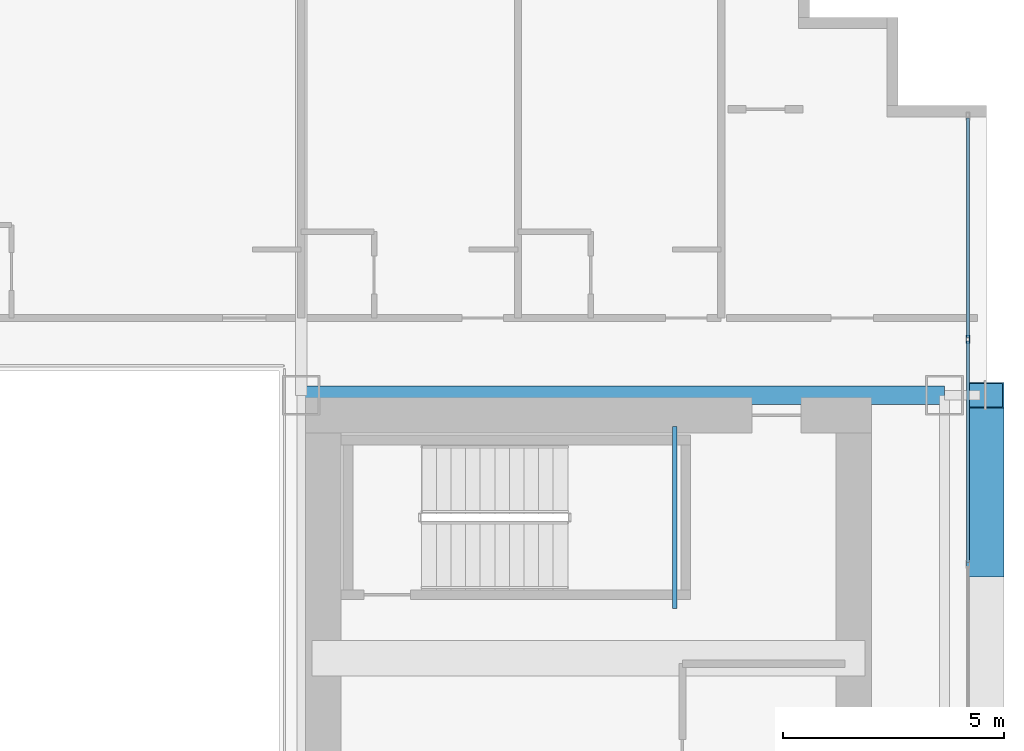
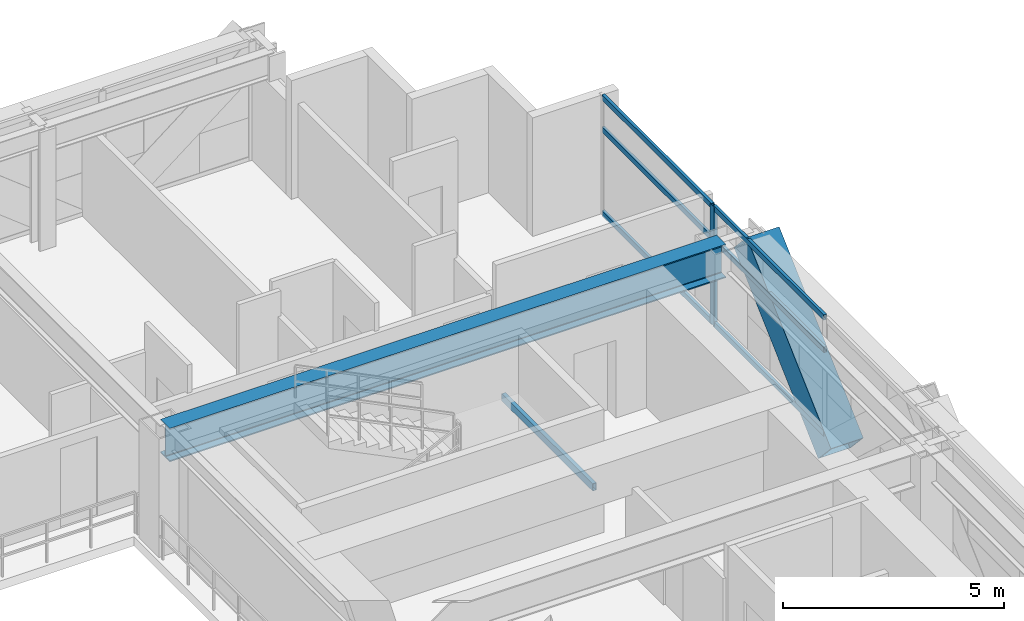
# One storey, part 20 of 35: 8 members, 2 beams, 1 element without a shape of its own.
"""IFC4 building model written with IfcOpenShell, lengths in metres."""

import ifcopenshell
import ifcopenshell.guid

model = None  # the IFC model being written
_history = None  # IfcOwnerHistory: only IFC2X3 demands one
_inside = {}  # id of a spatial element -> (the spatial element, [elements in it])
_under = {}  # id of a project, library or spatial element -> (it, [spatial elements below it])
_declared = {}  # id of a project -> (the project, [libraries it declares])
_typed = {}  # id of a type object -> (the type object, [elements of that type])
_made_of = {}  # id of a material, layer set ... -> (it, [elements and type objects made of it])


def new_model(schema):
    """Start an empty IFC model of exactly this schema.

    Asked for "IFC4X3", IfcOpenShell would pick the latest addendum, in which some entities
    have other attributes; the version numbers below select the first issue.
    IFC2X3 requires an IfcOwnerHistory on every rooted entity: one is made here for all.
    """
    global model, _history
    if schema == "IFC4X3":
        model = ifcopenshell.file(schema_version=(4, 3, 0, 0))
    else:
        model = ifcopenshell.file(schema=schema)
    _inside.clear()
    _under.clear()
    _declared.clear()
    _typed.clear()
    _made_of.clear()
    _history = None
    if model.schema == "IFC2X3":
        org = make("IfcOrganization", Name="unknown")
        user = make(
            "IfcPersonAndOrganization",
            ThePerson=make("IfcPerson", FamilyName="unknown"),
            TheOrganization=org,
        )
        app = make(
            "IfcApplication",
            ApplicationDeveloper=org,
            Version="unknown",
            ApplicationFullName="unknown",
            ApplicationIdentifier="unknown",
        )
        _history = make(
            "IfcOwnerHistory",
            OwningUser=user,
            OwningApplication=app,
            ChangeAction="ADDED",
            CreationDate=0,
        )
    return model


def make(cls, **values):
    """One entity of the class cls with the attributes given. An attribute that is None is left unset."""
    return model.create_entity(
        cls, **{name: value for name, value in values.items() if value is not None}
    )


def rooted(cls, **values):
    """An entity with a GlobalId (a new one), such as an element, a storey or a relation."""
    return make(cls, GlobalId=ifcopenshell.guid.new(), OwnerHistory=_history, **values)


def si_unit(unit_type, name, prefix=None):
    """IfcSIUnit, for example si_unit("LENGTHUNIT", "METRE", prefix="MILLI")."""
    return make("IfcSIUnit", UnitType=unit_type, Prefix=prefix, Name=name)


def assignment(units):
    """IfcUnitAssignment: the units of a project."""
    return None if units is None else make("IfcUnitAssignment", Units=units)


def point(xyz):
    """IfcCartesianPoint."""
    return None if xyz is None else make("IfcCartesianPoint", Coordinates=xyz)


def direction(xyz):
    """IfcDirection."""
    return None if xyz is None else make("IfcDirection", DirectionRatios=xyz)


def frame(location, z_axis=None, x_axis=None):
    """IfcAxis2Placement3D, a coordinate frame: its origin and axes. An axis left out is left unset."""
    return make(
        "IfcAxis2Placement3D",
        Location=point(location),
        Axis=direction(z_axis),
        RefDirection=direction(x_axis),
    )


def frame_2d(location, x_axis=None):
    """IfcAxis2Placement2D, a coordinate frame in the plane: its origin and x axis."""
    return make(
        "IfcAxis2Placement2D", Location=point(location), RefDirection=direction(x_axis)
    )


def origin():
    """The frame at (0, 0, 0) with its axes left unset."""
    return frame((0.0, 0.0, 0.0))


def origin_2d():
    """The frame at (0, 0) in the plane with its x axis left unset."""
    return frame_2d((0.0, 0.0))


def place(relative_to, where):
    """IfcLocalPlacement: puts the frame where relative to a parent placement (None: the world)."""
    return make(
        "IfcLocalPlacement", PlacementRelTo=relative_to, RelativePlacement=where
    )


def context(
    kind, dimensions, precision=None, world=None, true_north=None, identifier=None
):
    """IfcGeometricRepresentationContext, for example the 3D "Model" context."""
    return make(
        "IfcGeometricRepresentationContext",
        ContextIdentifier=identifier,
        ContextType=kind,
        CoordinateSpaceDimension=dimensions,
        Precision=precision,
        WorldCoordinateSystem=world,
        TrueNorth=true_north,
    )


def subcontext(parent, identifier, kind, view, scale=None):
    """IfcGeometricRepresentationSubContext, for example "Body" below "Model"."""
    return make(
        "IfcGeometricRepresentationSubContext",
        ContextIdentifier=identifier,
        ContextType=kind,
        ParentContext=parent,
        TargetScale=scale,
        TargetView=view,
    )


def project(units=None, contexts=None):
    """IfcProject with its units and contexts."""
    return rooted(
        "IfcProject",
        Name="project",
        RepresentationContexts=contexts,
        UnitsInContext=assignment(units),
    )


def spatial(cls, under=None, at=None, **own):
    """A site, building, storey or space (cls), placed at a placement, below another one or the project."""
    s = rooted(cls, ObjectPlacement=at, **own)
    if under is not None:
        _under.setdefault(under.id(), (under, []))[1].append(s)
    return s


def profile(cls, at=None, kind="AREA", **sizes):
    """A parametric profile (cls). Its sizes go by their IFC names, for example OverallWidth=200.0."""
    return make(cls, ProfileType=kind, Position=at, **sizes)


def hollow_rectangle(**sizes):
    """IfcRectangleHollowProfileDef."""
    return profile("IfcRectangleHollowProfileDef", **sizes)


def i_section(**sizes):
    """IfcIShapeProfileDef."""
    return profile("IfcIShapeProfileDef", **sizes)


def extrude(swept, where, along, depth):
    """IfcExtrudedAreaSolid: the profile swept, set in the frame where, extruded along a direction by depth."""
    return make(
        "IfcExtrudedAreaSolid",
        SweptArea=swept,
        Position=where,
        ExtrudedDirection=direction(along),
        Depth=depth,
    )


def shape(context_of_items, identifier, shape_type, items):
    """IfcShapeRepresentation: the items that make up one representation, for example the "Body"."""
    return make(
        "IfcShapeRepresentation",
        ContextOfItems=context_of_items,
        RepresentationIdentifier=identifier,
        RepresentationType=shape_type,
        Items=items,
    )


def source(mapping_origin, context_of_items, identifier, shape_type, items):
    """IfcRepresentationMap: a shape defined once, which mapped items show again and again."""
    return make(
        "IfcRepresentationMap",
        MappingOrigin=mapping_origin,
        MappedRepresentation=shape(context_of_items, identifier, shape_type, items),
    )


def transform(
    local_origin,
    x_axis=None,
    y_axis=None,
    z_axis=None,
    scale=None,
    scale2=None,
    scale3=None,
    uniform=True,
):
    """IfcCartesianTransformationOperator3D, or its non-uniform kind. x_axis, y_axis, z_axis: its Axis1, 2, 3."""
    if uniform:
        return make(
            "IfcCartesianTransformationOperator3D",
            Axis1=direction(x_axis),
            Axis2=direction(y_axis),
            LocalOrigin=point(local_origin),
            Scale=scale,
            Axis3=direction(z_axis),
        )
    return make(
        "IfcCartesianTransformationOperator3DnonUniform",
        Axis1=direction(x_axis),
        Axis2=direction(y_axis),
        LocalOrigin=point(local_origin),
        Scale=scale,
        Axis3=direction(z_axis),
        Scale2=scale2,
        Scale3=scale3,
    )


def mapped(mapping_source, mapping_target):
    """IfcMappedItem: shows the shape of a source again, moved by a transform."""
    return make(
        "IfcMappedItem", MappingSource=mapping_source, MappingTarget=mapping_target
    )


def material(Name=None, Category=None):
    """IfcMaterial."""
    return make("IfcMaterial", Name=Name, Category=Category)


def layer(
    of_material, thickness, ventilated=None, Name=None, Category=None, Priority=None
):
    """IfcMaterialLayer: one layer of a wall or slab, of a material (None: an air gap)."""
    return make(
        "IfcMaterialLayer",
        Material=of_material,
        LayerThickness=thickness,
        IsVentilated=ventilated,
        Name=Name,
        Category=Category,
        Priority=Priority,
    )


def layer_set(layers, Name=None):
    """IfcMaterialLayerSet."""
    return make("IfcMaterialLayerSet", MaterialLayers=layers, LayerSetName=Name)


def material_profile(
    of_material, cross_section, Name=None, Category=None, Priority=None
):
    """IfcMaterialProfile: a cross section and its material."""
    return make(
        "IfcMaterialProfile",
        Name=Name,
        Material=of_material,
        Profile=cross_section,
        Priority=Priority,
        Category=Category,
    )


def profile_set(profiles, Name=None, composite=None):
    """IfcMaterialProfileSet."""
    return make(
        "IfcMaterialProfileSet",
        Name=Name,
        MaterialProfiles=profiles,
        CompositeProfile=composite,
    )


def made_of(thing, what):
    """Note that an element or type object is made of a material, layer set ...; save() writes the relation."""
    if what is not None:
        _made_of.setdefault(what.id(), (what, []))[1].append(thing)
    return thing


def type_object(cls, material=None, **own):
    """A type object (cls), such as IfcWallType, which elements share."""
    return made_of(rooted(cls, **own), material)


def element(
    cls,
    number,
    at=None,
    inside=None,
    cuts=None,
    type_object=None,
    material=None,
    context=None,
    identifier="Body",
    shape_type=None,
    held_by="IfcProductDefinitionShape",
    body=None,
    shapes=None,
    **own,
):
    """One element of the class cls, such as IfcWall. Its Tag is "e" and its number.

    at: its placement. inside: the storey or other place that contains it. cuts: it is an
    opening in that element (IfcRelVoidsElement). A single representation is given by context,
    identifier, shape_type and body (its items); several are given by shapes. held_by: the class
    of the entity that holds the representations. save() writes the other relations.
    """
    e = rooted(cls, Tag="e%d" % number, ObjectPlacement=at, **own)
    if body is not None:
        shapes = [shape(context, identifier, shape_type, body)]
    if shapes is not None:
        e.Representation = make(held_by, Representations=shapes)
    if inside is not None:
        _inside.setdefault(inside.id(), (inside, []))[1].append(e)
    if cuts is not None:
        rooted(
            "IfcRelVoidsElement", RelatingBuildingElement=cuts, RelatedOpeningElement=e
        )
    if type_object is not None:
        _typed.setdefault(type_object.id(), (type_object, []))[1].append(e)
    return made_of(e, material)


def aggregate(whole, parts):
    """IfcRelAggregates: a whole, such as a stair, and the parts it consists of."""
    return rooted("IfcRelAggregates", RelatingObject=whole, RelatedObjects=parts)


def save(model, path):
    """Write the relations noted so far, then the file.

    IfcRelAggregates (storeys below a building ...), IfcRelContainedInSpatialStructure (elements
    in a storey), IfcRelDefinesByType, IfcRelAssociatesMaterial and IfcRelDeclares: one each for
    every whole, place, type object, material and project.
    """
    for whole, parts in _under.values():
        aggregate(whole, parts)
    for where, things in _inside.values():
        rooted(
            "IfcRelContainedInSpatialStructure",
            RelatedElements=things,
            RelatingStructure=where,
        )
    for kind, things in _typed.values():
        rooted("IfcRelDefinesByType", RelatedObjects=things, RelatingType=kind)
    for what, things in _made_of.values():
        rooted("IfcRelAssociatesMaterial", RelatedObjects=things, RelatingMaterial=what)
    for by, libraries in _declared.values():
        rooted("IfcRelDeclares", RelatingContext=by, RelatedDefinitions=libraries)
    model.write(path)


model = new_model("IFC4")

# Units and contexts
model_context = context("Model", 3, precision=1e-05, world=origin(), true_north=direction((0.0, 1.0)))
body_context = subcontext(model_context, "Body", "Model", "MODEL_VIEW")
ifc_project = project(units=[si_unit("LENGTHUNIT", "METRE"), si_unit("AREAUNIT", "SQUARE_METRE"), si_unit("VOLUMEUNIT", "CUBIC_METRE"), si_unit("PLANEANGLEUNIT", "RADIAN"), si_unit("MASSUNIT", "GRAM", prefix="KILO")], contexts=[model_context])

# Site, building, storey
site_placement = place(None, origin())
site = spatial("IfcSite", under=ifc_project, at=site_placement, CompositionType="ELEMENT")
building_placement = place(site_placement, origin())
building = spatial("IfcBuilding", under=site, at=building_placement, Name="Ocotamira Hotel", CompositionType="ELEMENT")
storey_placement = place(building_placement, frame((0.0, 0.0, 81.60009765625)))
storey = spatial("IfcBuildingStorey", under=building, at=storey_placement, Name="L20", CompositionType="ELEMENT", Elevation=81.60009765625)

# Beams
ifc_material_1 = material(Name="Steel ASTM A500 Grade C", Category="steel")
ifc_material_profile_1 = material_profile(ifc_material_1, hollow_rectangle(XDim=0.10009765625, YDim=0.199951171875, WallThickness=0.008056640625, at=origin_2d()), Name="HSS200X100X8")
ifc_profile_set_1 = profile_set([ifc_material_profile_1], Name="Steel ASTM A500 Grade C")
beam_type_1 = type_object("IfcBeamType", Name="BM-STLDG-HSS200", PredefinedType="BEAM", material=ifc_profile_set_1)
shared_shape_1 = source(origin(), body_context, "Body", "SweptSolid", [
    extrude(hollow_rectangle(XDim=0.10009765625, YDim=0.199951171875, WallThickness=0.008056640625, at=origin_2d()), origin(), (0.0, 0.0, 1.0), 4.1201171875),
])
beam_1_placement = place(storey_placement, frame((48.949951171875, 32.6298828125, 1.5), z_axis=(0.0, 1.0, 0.0), x_axis=(-1.0, 0.0, 0.0)))
element("IfcBeam", 1, at=beam_1_placement, inside=storey, type_object=beam_type_1, Name="L20 Stair ST-4 Landing Bearer 1", PredefinedType="BEAM", context=body_context, shape_type="MappedRepresentation", body=[
    mapped(shared_shape_1, transform((0.0, 0.0, 0.0), scale=1.0)),
])
ifc_material_2 = material(Name="Steel ASTM A992 Grade 50", Category="steel")
ifc_material_profile_2 = material_profile(ifc_material_2, i_section(OverallWidth=0.41796875, OverallDepth=0.927001953125, WebThickness=0.019287109375, FlangeThickness=0.031982421875, FilletRadius=0.02392578125, at=origin_2d()), Name="W36X231")
ifc_profile_set_2 = profile_set([ifc_material_profile_2], Name="Steel ASTM A992 Grade 50")
beam_type_2 = type_object("IfcBeamType", Name="BM-GIRD-W36X231", PredefinedType="BEAM", material=ifc_profile_set_2)
shared_shape_2 = source(origin(), body_context, "Body", "SweptSolid", [
    extrude(i_section(OverallWidth=0.41796875, OverallDepth=0.927001953125, WebThickness=0.019287109375, FlangeThickness=0.031982421875, FilletRadius=0.02392578125, at=origin_2d()), origin(), (0.0, 0.0, 1.0), 14.550048828125),
])
beam_2_placement = place(storey_placement, frame((40.5, 37.449951171875, 2.81640625), z_axis=(1.0, 0.0, 0.0), x_axis=(0.0, 1.0, 0.0)))
element("IfcBeam", 2, at=beam_2_placement, inside=storey, type_object=beam_type_2, Name="L20 Girder Y37.45 X40.5-55.05", PredefinedType="BEAM", context=body_context, shape_type="MappedRepresentation", body=[
    mapped(shared_shape_2, transform((0.0, 0.0, 0.0), scale=1.0)),
])

# Member
ifc_material_3 = material(Name="Pale-metal coated steel ASTM A913 Grade 65", Category="steel")
ifc_material_profile_3 = material_profile(ifc_material_3, hollow_rectangle(XDim=0.85009765625, YDim=0.85009765625, WallThickness=0.035888671875, at=origin_2d()), Name="BOX850X850X36")
ifc_profile_set_3 = profile_set([ifc_material_profile_3], Name="Pale-metal coated steel ASTM A913 Grade 65")
member_type_1 = type_object("IfcMemberType", Name="MEM-EXO-BOX850", PredefinedType="BRACE", material=ifc_profile_set_3)
shared_shape_3 = source(origin(), body_context, "Body", "SweptSolid", [
    extrude(hollow_rectangle(XDim=0.85009765625, YDim=0.85009765625, WallThickness=0.035888671875, at=origin_2d()), origin(), (0.0, 0.0, 1.0), 5.19873046875),
])
member_1_placement = place(storey_placement, frame((55.969970703125, 33.63330078125, -0.5), z_axis=(0.0, 0.734158546733, 0.67897807642), x_axis=(-1.0, 0.0, 0.0)))
element("IfcMember", 3, at=member_1_placement, inside=storey, type_object=member_type_1, Name="L20 Exoskeleton Diagrid E2.2", PredefinedType="BRACE", context=body_context, shape_type="MappedRepresentation", body=[
    mapped(shared_shape_3, transform((0.0, 0.0, 0.0), scale=1.0)),
])

# Curtain wall, members
ifc_material_4 = material(Name="Anodised pale-metal aluminium and solar glass", Category="aluminium")
ifc_layer = layer(ifc_material_4, 0.179931640625)
ifc_layer_set = layer_set([ifc_layer], Name="Anodised pale-metal aluminium and solar glass")
curtain_wall_type = type_object("IfcCurtainWallType", Name="CW-SYS2-Z1", PredefinedType="NOTDEFINED", material=ifc_layer_set)
curtain_wall_placement = place(storey_placement, origin())
curtain_wall = element("IfcCurtainWall", 4, at=curtain_wall_placement, inside=storey, type_object=curtain_wall_type, Name="L20 Curtain Wall CW-2 CW-L20-E", PredefinedType="NOTDEFINED")
ifc_material_5 = material(Name="Anodised pale-metal aluminium 6063-T6", Category="aluminium")
ifc_material_profile_4 = material_profile(ifc_material_5, hollow_rectangle(XDim=0.074951171875, YDim=0.14990234375, WallThickness=0.006103515625, at=origin_2d()), Name="HSS150X75X6")
ifc_profile_set_4 = profile_set([ifc_material_profile_4], Name="Anodised pale-metal aluminium 6063-T6")
member_type_2 = type_object("IfcMemberType", Name="CWT-150X75", PredefinedType="USERDEFINED", material=ifc_profile_set_4)
shared_shape_4 = source(origin(), body_context, "Body", "SweptSolid", [
    extrude(hollow_rectangle(XDim=0.074951171875, YDim=0.14990234375, WallThickness=0.006103515625, at=origin_2d()), origin(), (0.0, 0.0, 1.0), 4.965576171875),
])
member_2_placement = place(storey_placement, frame((55.580078125, 38.75439453125, 0.037353515625), z_axis=(0.0, 1.0, 0.0), x_axis=(-1.0, 0.0, 0.0)))
member_2 = element("IfcMember", 5, at=member_2_placement, type_object=member_type_2, Name="CW-2 transom 7.1", ObjectType="TRANSOM", PredefinedType="USERDEFINED", context=body_context, shape_type="MappedRepresentation", body=[
    mapped(shared_shape_4, transform((0.0, 0.0, 0.0), scale=1.0)),
])
member_3_placement = place(storey_placement, frame((55.580078125, 38.75439453125, 2.349853515625), z_axis=(0.0, 1.0, 0.0), x_axis=(-1.0, 0.0, 0.0)))
member_3 = element("IfcMember", 6, at=member_3_placement, type_object=member_type_2, Name="CW-2 transom 7.2", ObjectType="TRANSOM", PredefinedType="USERDEFINED", context=body_context, shape_type="MappedRepresentation", body=[
    mapped(shared_shape_4, transform((0.0, 0.0, 0.0), scale=1.0)),
])
member_4_placement = place(storey_placement, frame((55.580078125, 38.75439453125, 3.242431640625), z_axis=(0.0, 1.0, 0.0), x_axis=(-1.0, 0.0, 0.0)))
member_4 = element("IfcMember", 7, at=member_4_placement, type_object=member_type_2, Name="CW-2 transom 7.3", ObjectType="TRANSOM", PredefinedType="USERDEFINED", context=body_context, shape_type="MappedRepresentation", body=[
    mapped(shared_shape_4, transform((0.0, 0.0, 0.0), scale=1.0)),
])
shared_shape_5 = source(origin(), body_context, "Body", "SweptSolid", [
    extrude(hollow_rectangle(XDim=0.074951171875, YDim=0.14990234375, WallThickness=0.006103515625, at=origin_2d()), origin(), (0.0, 0.0, 1.0), 5.005859375),
])
member_5_placement = place(storey_placement, frame((55.580078125, 33.66845703125, 0.037353515625), z_axis=(0.0, 1.0, 0.0), x_axis=(-1.0, 0.0, 0.0)))
member_5 = element("IfcMember", 8, at=member_5_placement, type_object=member_type_2, Name="CW-2 transom 6.1", ObjectType="TRANSOM", PredefinedType="USERDEFINED", context=body_context, shape_type="MappedRepresentation", body=[
    mapped(shared_shape_5, transform((0.0, 0.0, 0.0), scale=1.0)),
])
member_6_placement = place(storey_placement, frame((55.580078125, 33.66845703125, 2.349853515625), z_axis=(0.0, 1.0, 0.0), x_axis=(-1.0, 0.0, 0.0)))
member_6 = element("IfcMember", 9, at=member_6_placement, type_object=member_type_2, Name="CW-2 transom 6.2", ObjectType="TRANSOM", PredefinedType="USERDEFINED", context=body_context, shape_type="MappedRepresentation", body=[
    mapped(shared_shape_5, transform((0.0, 0.0, 0.0), scale=1.0)),
])
member_7_placement = place(storey_placement, frame((55.580078125, 33.66845703125, 3.242431640625), z_axis=(0.0, 1.0, 0.0), x_axis=(-1.0, 0.0, 0.0)))
member_7 = element("IfcMember", 10, at=member_7_placement, type_object=member_type_2, Name="CW-2 transom 6.3", ObjectType="TRANSOM", PredefinedType="USERDEFINED", context=body_context, shape_type="MappedRepresentation", body=[
    mapped(shared_shape_5, transform((0.0, 0.0, 0.0), scale=1.0)),
])
ifc_material_profile_5 = material_profile(ifc_material_5, hollow_rectangle(XDim=0.080078125, YDim=0.179931640625, WallThickness=0.006103515625, at=origin_2d()), Name="HSS180X80X6")
ifc_profile_set_5 = profile_set([ifc_material_profile_5], Name="Anodised pale-metal aluminium 6063-T6")
member_type_3 = type_object("IfcMemberType", Name="CWM-180X75", PredefinedType="MULLION", material=ifc_profile_set_5)
shared_shape_6 = source(origin(), body_context, "Body", "SweptSolid", [
    extrude(hollow_rectangle(XDim=0.080078125, YDim=0.179931640625, WallThickness=0.006103515625, at=origin_2d()), origin(), (0.0, 0.0, 1.0), 3.27978515625),
])
member_8_placement = place(storey_placement, frame((55.580078125, 38.71435546875, 0.0), z_axis=(0.0, 0.0, 1.0), x_axis=(-1.0, 0.0, 0.0)))
member_8 = element("IfcMember", 11, at=member_8_placement, type_object=member_type_3, Name="CW-2 mullion 7", PredefinedType="MULLION", context=body_context, shape_type="MappedRepresentation", body=[
    mapped(shared_shape_6, transform((0.0, 0.0, 0.0), scale=1.0)),
])
aggregate(curtain_wall, [member_8, member_5, member_6, member_7, member_2, member_3, member_4])

save(model, "model.ifc")
